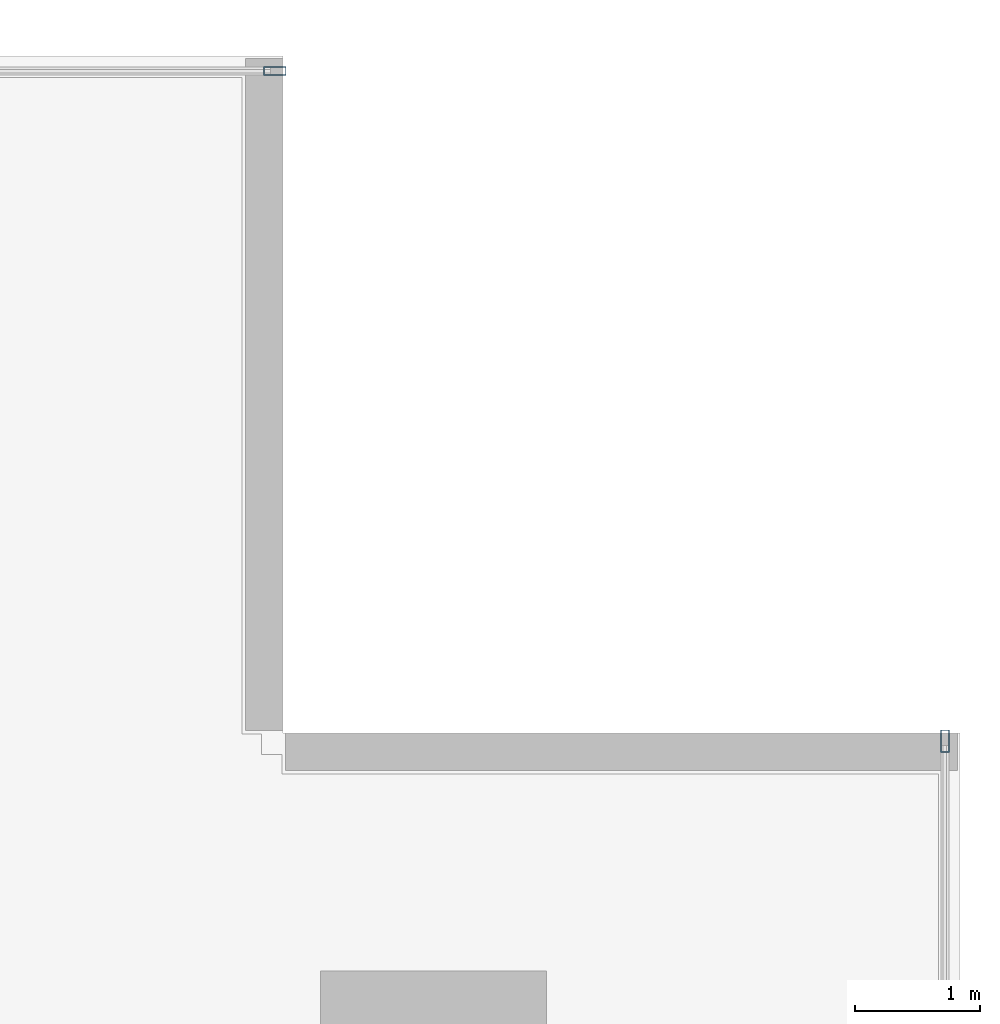
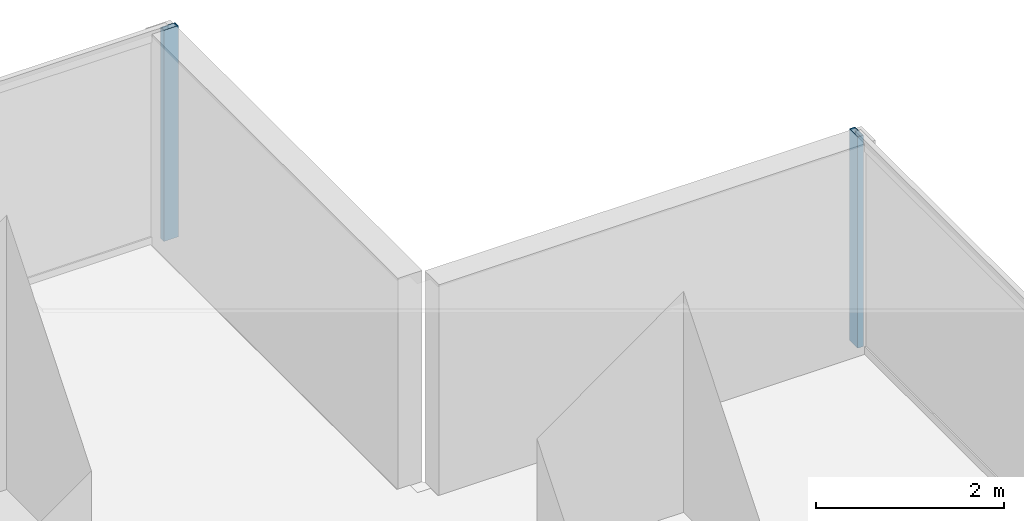
# One storey, part 23 of 33: 2 members, 2 elements without a shape of their own.
"""IFC4 building model written with IfcOpenShell, lengths in metres."""

from ifc_helpers import new_model, si_unit, direction, frame, origin, origin_2d, place, context, subcontext, project, spatial, hollow_rectangle, extrude, source, transform, mapped, material, layer, layer_set, material_profile, profile_set, type_object, element, aggregate, save


model = new_model("IFC4")

# Units and contexts
model_context = context("Model", 3, precision=1e-05, world=origin(), true_north=direction((0.0, 1.0)))
body_context = subcontext(model_context, "Body", "Model", "MODEL_VIEW")
ifc_project = project(units=[si_unit("LENGTHUNIT", "METRE"), si_unit("AREAUNIT", "SQUARE_METRE"), si_unit("VOLUMEUNIT", "CUBIC_METRE"), si_unit("PLANEANGLEUNIT", "RADIAN"), si_unit("MASSUNIT", "GRAM", prefix="KILO")], contexts=[model_context])

# Site, building, storey
site_placement = place(None, origin())
site = spatial("IfcSite", under=ifc_project, at=site_placement, CompositionType="ELEMENT")
building_placement = place(site_placement, origin())
building = spatial("IfcBuilding", under=site, at=building_placement, Name="Sumidabori Civic Tower", CompositionType="ELEMENT")
storey_placement = place(building_placement, frame((0.0, 0.0, 63.199951171875)))
storey = spatial("IfcBuildingStorey", under=building, at=storey_placement, Name="L16", CompositionType="ELEMENT", Elevation=63.199951171875)

# Curtain wall, member
ifc_material = material(Name="Anodised Bronze Aluminium AW-6063-T6", Category="aluminium")
ifc_layer = layer(ifc_material, 0.179931640625, Name="Anodised Bronze Aluminium AW-6063-T6")
ifc_layer_set = layer_set([ifc_layer], Name="Anodised Bronze Aluminium AW-6063-T6")
curtain_wall_type = type_object("IfcCurtainWallType", Name="CW-SYS-2", PredefinedType="NOTDEFINED", material=ifc_layer_set)
curtain_wall_1_placement = place(storey_placement, origin())
curtain_wall_1 = element("IfcCurtainWall", 1, at=curtain_wall_1_placement, inside=storey, type_object=curtain_wall_type, Name="Curtain Wall CW:L16:R04", PredefinedType="NOTDEFINED")
ifc_material_profile = material_profile(ifc_material, hollow_rectangle(XDim=0.070068359375, YDim=0.179931640625, WallThickness=0.006103515625, at=origin_2d()), Name="ALU MULLION 180x70")
ifc_profile_set = profile_set([ifc_material_profile], Name="Anodised Bronze Aluminium AW-6063-T6")
member_type = type_object("IfcMemberType", Name="CW-MUL-180", PredefinedType="MULLION", material=ifc_profile_set)
shared_shape = source(origin(), body_context, "Body", "SweptSolid", [
    extrude(hollow_rectangle(XDim=0.070068359375, YDim=0.179931640625, WallThickness=0.006103515625, at=origin_2d()), origin(), (0.0, 0.0, 1.0), 2.739990234375),
])
member_1_placement = place(storey_placement, frame((26.8798828125, 21.534912109375, 0.0), z_axis=(0.0, 0.0, 1.0), x_axis=(-1.0, 0.0, 0.0)))
member_1 = element("IfcMember", 2, at=member_1_placement, type_object=member_type, Name="CW-2 mullion 6", PredefinedType="MULLION", context=body_context, shape_type="MappedRepresentation", body=[
    mapped(shared_shape, transform((0.0, 0.0, 0.0), x_axis=(1.0, 0.0, 0.0), y_axis=(0.0, 1.0, 0.0), z_axis=(0.0, 0.0, 1.0), scale=1.0)),
])
aggregate(curtain_wall_1, [member_1])

curtain_wall_2_placement = place(storey_placement, origin())
curtain_wall_2 = element("IfcCurtainWall", 3, at=curtain_wall_2_placement, inside=storey, type_object=curtain_wall_type, Name="Curtain Wall CW:L16:R07", PredefinedType="NOTDEFINED")
member_2_placement = place(storey_placement, frame((21.534912109375, 26.8798828125, 0.0), z_axis=(0.0, 0.0, 1.0), x_axis=(0.0, -1.0, 0.0)))
member_2 = element("IfcMember", 4, at=member_2_placement, type_object=member_type, Name="CW-2 mullion 1", PredefinedType="MULLION", context=body_context, shape_type="MappedRepresentation", body=[
    mapped(shared_shape, transform((0.0, 0.0, 0.0), x_axis=(1.0, 0.0, 0.0), y_axis=(0.0, 1.0, 0.0), z_axis=(0.0, 0.0, 1.0), scale=1.0)),
])
aggregate(curtain_wall_2, [member_2])

save(model, "model.ifc")
